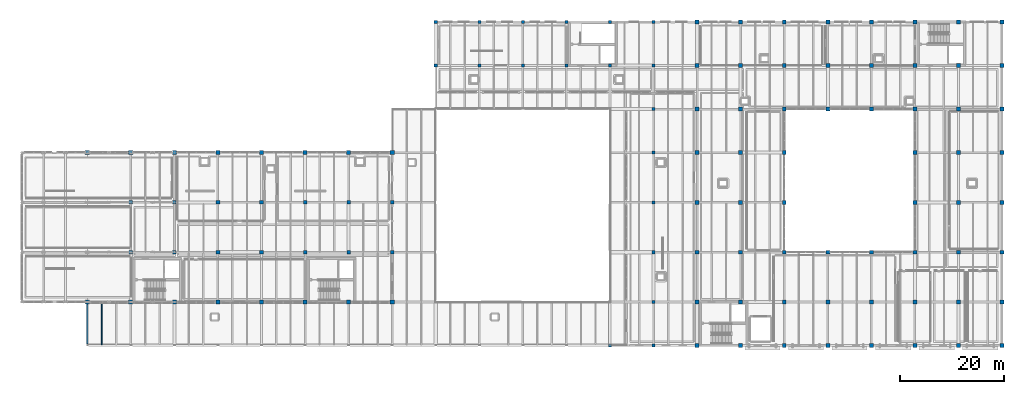
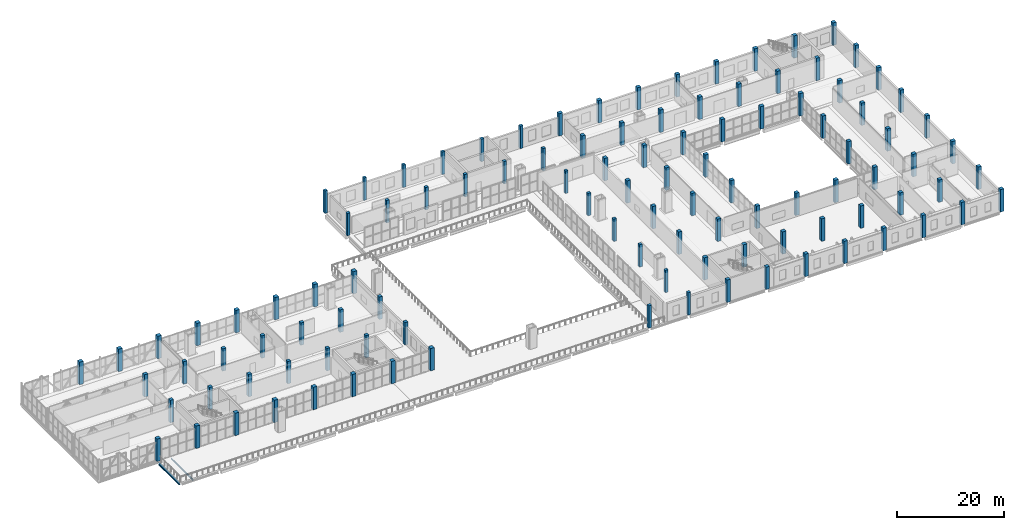
# One storey, part 1 of 77: 109 columns, 2 beams.
"""IFC4 building model written with IfcOpenShell, lengths in metres."""

from ifc_helpers import new_model, si_unit, direction, frame, origin, origin_2d, place, context, subcontext, project, spatial, rectangle, i_section, extrude, material, material_profile, profile_set, type_object, element, save


model = new_model("IFC4")

# Units and contexts
model_context = context("Model", 3, precision=1e-05, world=origin(), true_north=direction((0.0, 1.0)))
body_context = subcontext(model_context, "Body", "Model", "MODEL_VIEW")
ifc_project = project(units=[si_unit("LENGTHUNIT", "METRE"), si_unit("AREAUNIT", "SQUARE_METRE"), si_unit("VOLUMEUNIT", "CUBIC_METRE"), si_unit("PLANEANGLEUNIT", "RADIAN"), si_unit("MASSUNIT", "GRAM", prefix="KILO")], contexts=[model_context])

# Site, building, storey
site_placement = place(None, origin())
site = spatial("IfcSite", under=ifc_project, at=site_placement, CompositionType="ELEMENT")
building_placement = place(site_placement, origin())
building = spatial("IfcBuilding", under=site, at=building_placement, Name="Zulmaris Art Gallery", CompositionType="ELEMENT")
storey_placement = place(building_placement, frame((0.0, 0.0, 15.60009765625)))
storey = spatial("IfcBuildingStorey", under=building, at=storey_placement, Name="L03", CompositionType="ELEMENT", Elevation=15.60009765625)

# Columns
ifc_material_1 = material(Name="Concrete C40/50", Category="concrete")
ifc_material_profile_1 = material_profile(ifc_material_1, rectangle(XDim=0.60009765625, YDim=0.60009765625, at=origin_2d()), Name="RC 600x600")
ifc_profile_set_1 = profile_set([ifc_material_profile_1], Name="Concrete C40/50")
column_type_1 = type_object("IfcColumnType", Name="COL-RC-600x600", PredefinedType="COLUMN", material=ifc_profile_set_1)
for number, where, z_axis, x_axis, name in (
    (1, (91.199951171875, 67.199951171875, 0.0), (0.0, 0.0, 1.0), (1.0, 0.0, 0.0), "L03 structural column (91.2, 67.2)"),
    (2, (91.199951171875, 75.60009765625, 0.0), (0.0, 0.0, 1.0), (1.0, 0.0, 0.0), "L03 structural column (91.2, 75.6)"),
    (3, (99.60009765625, 67.199951171875, 0.0), (0.0, 0.0, 1.0), (1.0, 0.0, 0.0), "L03 structural column (99.6, 67.2)"),
    (4, (99.60009765625, 75.60009765625, 0.0), (0.0, 0.0, 1.0), (1.0, 0.0, 0.0), "L03 structural column (99.6, 75.6)"),
    (5, (108.0, 67.199951171875, 0.0), (0.0, 0.0, 1.0), (1.0, 0.0, 0.0), "L03 structural column (108.0, 67.2)"),
    (6, (108.0, 75.60009765625, 0.0), (0.0, 0.0, 1.0), (1.0, 0.0, 0.0), "L03 structural column (108.0, 75.6)"),
    (7, (116.39990234375, 67.199951171875, 0.0), (0.0, 0.0, 1.0), (1.0, 0.0, 0.0), "L03 structural column (116.4, 67.2)"),
    (8, (116.39990234375, 75.60009765625, 0.0), (0.0, 0.0, 1.0), (1.0, 0.0, 0.0), "L03 structural column (116.4, 75.6)"),
    (9, (124.800048828125, 13.199951171875, 0.0), (0.0, 0.0, 1.0), (1.0, 0.0, 0.0), "L03 structural column (124.8, 13.2)"),
    (10, (124.800048828125, 67.199951171875, 0.0), (0.0, 0.0, 1.0), (1.0, 0.0, 0.0), "L03 structural column (124.8, 67.2)"),
    (11, (124.800048828125, 75.60009765625, 0.0), (0.0, 0.0, 1.0), (1.0, 0.0, 0.0), "L03 structural column (124.8, 75.6)"),
    (12, (133.199951171875, 13.199951171875, 0.0), (0.0, 0.0, 1.0), (1.0, 0.0, 0.0), "L03 structural column (133.2, 13.2)"),
    (13, (133.199951171875, 21.60009765625, 0.0), (0.0, 0.0, 1.0), (1.0, 0.0, 0.0), "L03 structural column (133.2, 21.6)"),
    (14, (133.199951171875, 31.199951171875, 0.0), (0.0, 0.0, 1.0), (1.0, 0.0, 0.0), "L03 structural column (133.2, 31.2)"),
    (15, (133.199951171875, 40.800048828125, 0.0), (0.0, 0.0, 1.0), (1.0, 0.0, 0.0), "L03 structural column (133.2, 40.8)"),
    (16, (133.199951171875, 50.39990234375, 0.0), (0.0, 0.0, 1.0), (1.0, 0.0, 0.0), "L03 structural column (133.2, 50.4)"),
    (17, (133.199951171875, 58.800048828125, 0.0), (0.0, 0.0, 1.0), (1.0, 0.0, 0.0), "L03 structural column (133.2, 58.8)"),
    (18, (133.199951171875, 67.199951171875, 0.0), (0.0, 0.0, 1.0), (1.0, 0.0, 0.0), "L03 structural column (133.2, 67.2)"),
    (19, (133.199951171875, 75.60009765625, 0.0), (0.0, 0.0, 1.0), (1.0, 0.0, 0.0), "L03 structural column (133.2, 75.6)"),
):
    element("IfcColumn", number, at=place(storey_placement, frame(where, z_axis=z_axis, x_axis=x_axis)), inside=storey, type_object=column_type_1, Name=name, PredefinedType="COLUMN", context=body_context, shape_type="SweptSolid", body=[
        extrude(rectangle(XDim=0.60009765625, YDim=0.60009765625, at=origin_2d()), origin(), (0.0, 0.0, 1.0), 5.099853515625),
    ])
ifc_material_profile_2 = material_profile(ifc_material_1, rectangle(XDim=0.699951171875, YDim=0.699951171875, at=origin_2d()), Name="RC 700x700")
ifc_profile_set_2 = profile_set([ifc_material_profile_2], Name="Concrete C40/50")
column_type_2 = type_object("IfcColumnType", Name="COL-RC-700x700", PredefinedType="COLUMN", material=ifc_profile_set_2)
for number, where, z_axis, x_axis, name in (
    (20, (32.39990234375, 31.199951171875, 0.0), (0.0, 0.0, 1.0), (1.0, 0.0, 0.0), "L03 structural column (32.4, 31.2)"),
    (21, (32.39990234375, 40.800048828125, 0.0), (0.0, 0.0, 1.0), (1.0, 0.0, 0.0), "L03 structural column (32.4, 40.8)"),
    (22, (40.800048828125, 31.199951171875, 0.0), (0.0, 0.0, 1.0), (1.0, 0.0, 0.0), "L03 structural column (40.8, 31.2)"),
    (23, (40.800048828125, 40.800048828125, 0.0), (0.0, 0.0, 1.0), (1.0, 0.0, 0.0), "L03 structural column (40.8, 40.8)"),
    (24, (49.199951171875, 31.199951171875, 0.0), (0.0, 0.0, 1.0), (1.0, 0.0, 0.0), "L03 structural column (49.2, 31.2)"),
    (25, (49.199951171875, 40.800048828125, 0.0), (0.0, 0.0, 1.0), (1.0, 0.0, 0.0), "L03 structural column (49.2, 40.8)"),
    (26, (57.60009765625, 31.199951171875, 0.0), (0.0, 0.0, 1.0), (1.0, 0.0, 0.0), "L03 structural column (57.6, 31.2)"),
    (27, (57.60009765625, 40.800048828125, 0.0), (0.0, 0.0, 1.0), (1.0, 0.0, 0.0), "L03 structural column (57.6, 40.8)"),
    (28, (66.0, 31.199951171875, 0.0), (0.0, 0.0, 1.0), (1.0, 0.0, 0.0), "L03 structural column (66.0, 31.2)"),
    (29, (66.0, 40.800048828125, 0.0), (0.0, 0.0, 1.0), (1.0, 0.0, 0.0), "L03 structural column (66.0, 40.8)"),
    (30, (74.39990234375, 31.199951171875, 0.0), (0.0, 0.0, 1.0), (1.0, 0.0, 0.0), "L03 structural column (74.4, 31.2)"),
    (31, (74.39990234375, 40.800048828125, 0.0), (0.0, 0.0, 1.0), (1.0, 0.0, 0.0), "L03 structural column (74.4, 40.8)"),
    (32, (82.800048828125, 31.199951171875, 0.0), (0.0, 0.0, 1.0), (1.0, 0.0, 0.0), "L03 structural column (82.8, 31.2)"),
    (33, (82.800048828125, 40.800048828125, 0.0), (0.0, 0.0, 1.0), (1.0, 0.0, 0.0), "L03 structural column (82.8, 40.8)"),
):
    element("IfcColumn", number, at=place(storey_placement, frame(where, z_axis=z_axis, x_axis=x_axis)), inside=storey, type_object=column_type_2, Name=name, PredefinedType="COLUMN", context=body_context, shape_type="SweptSolid", body=[
        extrude(rectangle(XDim=0.699951171875, YDim=0.699951171875, at=origin_2d()), origin(), (0.0, 0.0, 1.0), 5.099853515625),
    ])
ifc_material_profile_3 = material_profile(ifc_material_1, rectangle(XDim=0.75, YDim=0.75, at=origin_2d()), Name="RC 750x750")
ifc_profile_set_3 = profile_set([ifc_material_profile_3], Name="Concrete C40/50")
column_type_3 = type_object("IfcColumnType", Name="COL-RC-750x750", PredefinedType="COLUMN", material=ifc_profile_set_3)
for number, where, z_axis, x_axis, name in (
    (34, (141.60009765625, 13.199951171875, 0.0), (0.0, 0.0, 1.0), (1.0, 0.0, 0.0), "L03 structural column (141.6, 13.2)"),
    (35, (141.60009765625, 21.60009765625, 0.0), (0.0, 0.0, 1.0), (1.0, 0.0, 0.0), "L03 structural column (141.6, 21.6)"),
    (36, (141.60009765625, 31.199951171875, 0.0), (0.0, 0.0, 1.0), (1.0, 0.0, 0.0), "L03 structural column (141.6, 31.2)"),
    (37, (141.60009765625, 40.800048828125, 0.0), (0.0, 0.0, 1.0), (1.0, 0.0, 0.0), "L03 structural column (141.6, 40.8)"),
    (38, (141.60009765625, 50.39990234375, 0.0), (0.0, 0.0, 1.0), (1.0, 0.0, 0.0), "L03 structural column (141.6, 50.4)"),
    (39, (141.60009765625, 58.800048828125, 0.0), (0.0, 0.0, 1.0), (1.0, 0.0, 0.0), "L03 structural column (141.6, 58.8)"),
    (40, (141.60009765625, 67.199951171875, 0.0), (0.0, 0.0, 1.0), (1.0, 0.0, 0.0), "L03 structural column (141.6, 67.2)"),
    (41, (141.60009765625, 75.60009765625, 0.0), (0.0, 0.0, 1.0), (1.0, 0.0, 0.0), "L03 structural column (141.6, 75.6)"),
    (42, (150.0, 13.199951171875, 0.0), (0.0, 0.0, 1.0), (1.0, 0.0, 0.0), "L03 structural column (150.0, 13.2)"),
    (43, (150.0, 21.60009765625, 0.0), (0.0, 0.0, 1.0), (1.0, 0.0, 0.0), "L03 structural column (150.0, 21.6)"),
    (44, (150.0, 31.199951171875, 0.0), (0.0, 0.0, 1.0), (1.0, 0.0, 0.0), "L03 structural column (150.0, 31.2)"),
    (45, (150.0, 40.800048828125, 0.0), (0.0, 0.0, 1.0), (1.0, 0.0, 0.0), "L03 structural column (150.0, 40.8)"),
    (46, (150.0, 50.39990234375, 0.0), (0.0, 0.0, 1.0), (1.0, 0.0, 0.0), "L03 structural column (150.0, 50.4)"),
    (47, (150.0, 58.800048828125, 0.0), (0.0, 0.0, 1.0), (1.0, 0.0, 0.0), "L03 structural column (150.0, 58.8)"),
    (48, (150.0, 67.199951171875, 0.0), (0.0, 0.0, 1.0), (1.0, 0.0, 0.0), "L03 structural column (150.0, 67.2)"),
    (49, (150.0, 75.60009765625, 0.0), (0.0, 0.0, 1.0), (1.0, 0.0, 0.0), "L03 structural column (150.0, 75.6)"),
    (50, (158.39990234375, 13.199951171875, 0.0), (0.0, 0.0, 1.0), (1.0, 0.0, 0.0), "L03 structural column (158.4, 13.2)"),
    (51, (158.39990234375, 21.60009765625, 0.0), (0.0, 0.0, 1.0), (1.0, 0.0, 0.0), "L03 structural column (158.4, 21.6)"),
    (52, (158.39990234375, 31.199951171875, 0.0), (0.0, 0.0, 1.0), (1.0, 0.0, 0.0), "L03 structural column (158.4, 31.2)"),
    (53, (158.39990234375, 40.800048828125, 0.0), (0.0, 0.0, 1.0), (1.0, 0.0, 0.0), "L03 structural column (158.4, 40.8)"),
    (54, (158.39990234375, 50.39990234375, 0.0), (0.0, 0.0, 1.0), (1.0, 0.0, 0.0), "L03 structural column (158.4, 50.4)"),
    (55, (158.39990234375, 58.800048828125, 0.0), (0.0, 0.0, 1.0), (1.0, 0.0, 0.0), "L03 structural column (158.4, 58.8)"),
    (56, (158.39990234375, 67.199951171875, 0.0), (0.0, 0.0, 1.0), (1.0, 0.0, 0.0), "L03 structural column (158.4, 67.2)"),
    (57, (158.39990234375, 75.60009765625, 0.0), (0.0, 0.0, 1.0), (1.0, 0.0, 0.0), "L03 structural column (158.4, 75.6)"),
    (58, (166.800048828125, 13.199951171875, 0.0), (0.0, 0.0, 1.0), (1.0, 0.0, 0.0), "L03 structural column (166.8, 13.2)"),
    (59, (166.800048828125, 21.60009765625, 0.0), (0.0, 0.0, 1.0), (1.0, 0.0, 0.0), "L03 structural column (166.8, 21.6)"),
    (60, (166.800048828125, 31.199951171875, 0.0), (0.0, 0.0, 1.0), (1.0, 0.0, 0.0), "L03 structural column (166.8, 31.2)"),
    (61, (166.800048828125, 58.800048828125, 0.0), (0.0, 0.0, 1.0), (1.0, 0.0, 0.0), "L03 structural column (166.8, 58.8)"),
    (62, (166.800048828125, 67.199951171875, 0.0), (0.0, 0.0, 1.0), (1.0, 0.0, 0.0), "L03 structural column (166.8, 67.2)"),
    (63, (166.800048828125, 75.60009765625, 0.0), (0.0, 0.0, 1.0), (1.0, 0.0, 0.0), "L03 structural column (166.8, 75.6)"),
    (64, (175.199951171875, 13.199951171875, 0.0), (0.0, 0.0, 1.0), (1.0, 0.0, 0.0), "L03 structural column (175.2, 13.2)"),
    (65, (175.199951171875, 21.60009765625, 0.0), (0.0, 0.0, 1.0), (1.0, 0.0, 0.0), "L03 structural column (175.2, 21.6)"),
    (66, (175.199951171875, 31.199951171875, 0.0), (0.0, 0.0, 1.0), (1.0, 0.0, 0.0), "L03 structural column (175.2, 31.2)"),
    (67, (175.199951171875, 58.800048828125, 0.0), (0.0, 0.0, 1.0), (1.0, 0.0, 0.0), "L03 structural column (175.2, 58.8)"),
    (68, (175.199951171875, 67.199951171875, 0.0), (0.0, 0.0, 1.0), (1.0, 0.0, 0.0), "L03 structural column (175.2, 67.2)"),
    (69, (175.199951171875, 75.60009765625, 0.0), (0.0, 0.0, 1.0), (1.0, 0.0, 0.0), "L03 structural column (175.2, 75.6)"),
    (70, (183.60009765625, 13.199951171875, 0.0), (0.0, 0.0, 1.0), (1.0, 0.0, 0.0), "L03 structural column (183.6, 13.2)"),
    (71, (183.60009765625, 21.60009765625, 0.0), (0.0, 0.0, 1.0), (1.0, 0.0, 0.0), "L03 structural column (183.6, 21.6)"),
    (72, (183.60009765625, 31.199951171875, 0.0), (0.0, 0.0, 1.0), (1.0, 0.0, 0.0), "L03 structural column (183.6, 31.2)"),
    (73, (183.60009765625, 40.800048828125, 0.0), (0.0, 0.0, 1.0), (1.0, 0.0, 0.0), "L03 structural column (183.6, 40.8)"),
    (74, (183.60009765625, 50.39990234375, 0.0), (0.0, 0.0, 1.0), (1.0, 0.0, 0.0), "L03 structural column (183.6, 50.4)"),
    (75, (183.60009765625, 58.800048828125, 0.0), (0.0, 0.0, 1.0), (1.0, 0.0, 0.0), "L03 structural column (183.6, 58.8)"),
    (76, (183.60009765625, 67.199951171875, 0.0), (0.0, 0.0, 1.0), (1.0, 0.0, 0.0), "L03 structural column (183.6, 67.2)"),
    (77, (183.60009765625, 75.60009765625, 0.0), (0.0, 0.0, 1.0), (1.0, 0.0, 0.0), "L03 structural column (183.6, 75.6)"),
    (78, (192.0, 13.199951171875, 0.0), (0.0, 0.0, 1.0), (1.0, 0.0, 0.0), "L03 structural column (192.0, 13.2)"),
    (79, (192.0, 21.60009765625, 0.0), (0.0, 0.0, 1.0), (1.0, 0.0, 0.0), "L03 structural column (192.0, 21.6)"),
    (80, (192.0, 31.199951171875, 0.0), (0.0, 0.0, 1.0), (1.0, 0.0, 0.0), "L03 structural column (192.0, 31.2)"),
    (81, (192.0, 40.800048828125, 0.0), (0.0, 0.0, 1.0), (1.0, 0.0, 0.0), "L03 structural column (192.0, 40.8)"),
    (82, (192.0, 50.39990234375, 0.0), (0.0, 0.0, 1.0), (1.0, 0.0, 0.0), "L03 structural column (192.0, 50.4)"),
    (83, (192.0, 58.800048828125, 0.0), (0.0, 0.0, 1.0), (1.0, 0.0, 0.0), "L03 structural column (192.0, 58.8)"),
    (84, (192.0, 67.199951171875, 0.0), (0.0, 0.0, 1.0), (1.0, 0.0, 0.0), "L03 structural column (192.0, 67.2)"),
    (85, (192.0, 75.60009765625, 0.0), (0.0, 0.0, 1.0), (1.0, 0.0, 0.0), "L03 structural column (192.0, 75.6)"),
    (86, (200.39990234375, 13.199951171875, 0.0), (0.0, 0.0, 1.0), (1.0, 0.0, 0.0), "L03 structural column (200.4, 13.2)"),
    (87, (200.39990234375, 21.60009765625, 0.0), (0.0, 0.0, 1.0), (1.0, 0.0, 0.0), "L03 structural column (200.4, 21.6)"),
    (88, (200.39990234375, 31.199951171875, 0.0), (0.0, 0.0, 1.0), (1.0, 0.0, 0.0), "L03 structural column (200.4, 31.2)"),
    (89, (200.39990234375, 40.800048828125, 0.0), (0.0, 0.0, 1.0), (1.0, 0.0, 0.0), "L03 structural column (200.4, 40.8)"),
    (90, (200.39990234375, 50.39990234375, 0.0), (0.0, 0.0, 1.0), (1.0, 0.0, 0.0), "L03 structural column (200.4, 50.4)"),
    (91, (200.39990234375, 58.800048828125, 0.0), (0.0, 0.0, 1.0), (1.0, 0.0, 0.0), "L03 structural column (200.4, 58.8)"),
    (92, (200.39990234375, 67.199951171875, 0.0), (0.0, 0.0, 1.0), (1.0, 0.0, 0.0), "L03 structural column (200.4, 67.2)"),
    (93, (200.39990234375, 75.60009765625, 0.0), (0.0, 0.0, 1.0), (1.0, 0.0, 0.0), "L03 structural column (200.4, 75.6)"),
):
    element("IfcColumn", number, at=place(storey_placement, frame(where, z_axis=z_axis, x_axis=x_axis)), inside=storey, type_object=column_type_3, Name=name, PredefinedType="COLUMN", context=body_context, shape_type="SweptSolid", body=[
        extrude(rectangle(XDim=0.75, YDim=0.75, at=origin_2d()), origin(), (0.0, 0.0, 1.0), 5.099853515625),
    ])
ifc_material_profile_4 = material_profile(ifc_material_1, rectangle(XDim=0.800048828125, YDim=0.800048828125, at=origin_2d()), Name="RC 800x800")
ifc_profile_set_4 = profile_set([ifc_material_profile_4], Name="Concrete C40/50")
column_type_4 = type_object("IfcColumnType", Name="COL-RC-800x800", PredefinedType="COLUMN", material=ifc_profile_set_4)
for number, where, z_axis, x_axis, name in (
    (94, (24.0, 21.60009765625, 0.0), (0.0, 0.0, 1.0), (1.0, 0.0, 0.0), "L03 structural column (24.0, 21.6)"),
    (95, (24.0, 50.39990234375, 0.0), (0.0, 0.0, 1.0), (1.0, 0.0, 0.0), "L03 structural column (24.0, 50.4)"),
    (96, (32.39990234375, 21.60009765625, 0.0), (0.0, 0.0, 1.0), (1.0, 0.0, 0.0), "L03 structural column (32.4, 21.6)"),
    (97, (32.39990234375, 50.39990234375, 0.0), (0.0, 0.0, 1.0), (1.0, 0.0, 0.0), "L03 structural column (32.4, 50.4)"),
    (98, (40.800048828125, 21.60009765625, 0.0), (0.0, 0.0, 1.0), (1.0, 0.0, 0.0), "L03 structural column (40.8, 21.6)"),
    (99, (40.800048828125, 50.39990234375, 0.0), (0.0, 0.0, 1.0), (1.0, 0.0, 0.0), "L03 structural column (40.8, 50.4)"),
    (100, (49.199951171875, 21.60009765625, 0.0), (0.0, 0.0, 1.0), (1.0, 0.0, 0.0), "L03 structural column (49.2, 21.6)"),
    (101, (49.199951171875, 50.39990234375, 0.0), (0.0, 0.0, 1.0), (1.0, 0.0, 0.0), "L03 structural column (49.2, 50.4)"),
    (102, (57.60009765625, 21.60009765625, 0.0), (0.0, 0.0, 1.0), (1.0, 0.0, 0.0), "L03 structural column (57.6, 21.6)"),
    (103, (57.60009765625, 50.39990234375, 0.0), (0.0, 0.0, 1.0), (1.0, 0.0, 0.0), "L03 structural column (57.6, 50.4)"),
    (104, (66.0, 21.60009765625, 0.0), (0.0, 0.0, 1.0), (1.0, 0.0, 0.0), "L03 structural column (66.0, 21.6)"),
    (105, (66.0, 50.39990234375, 0.0), (0.0, 0.0, 1.0), (1.0, 0.0, 0.0), "L03 structural column (66.0, 50.4)"),
    (106, (74.39990234375, 21.60009765625, 0.0), (0.0, 0.0, 1.0), (1.0, 0.0, 0.0), "L03 structural column (74.4, 21.6)"),
    (107, (74.39990234375, 50.39990234375, 0.0), (0.0, 0.0, 1.0), (1.0, 0.0, 0.0), "L03 structural column (74.4, 50.4)"),
    (108, (82.800048828125, 21.60009765625, 0.0), (0.0, 0.0, 1.0), (1.0, 0.0, 0.0), "L03 structural column (82.8, 21.6)"),
    (109, (82.800048828125, 50.39990234375, 0.0), (0.0, 0.0, 1.0), (1.0, 0.0, 0.0), "L03 structural column (82.8, 50.4)"),
):
    element("IfcColumn", number, at=place(storey_placement, frame(where, z_axis=z_axis, x_axis=x_axis)), inside=storey, type_object=column_type_4, Name=name, PredefinedType="COLUMN", context=body_context, shape_type="SweptSolid", body=[
        extrude(rectangle(XDim=0.800048828125, YDim=0.800048828125, at=origin_2d()), origin(), (0.0, 0.0, 1.0), 5.099853515625),
    ])

# Beams
ifc_material_2 = material(Name="Steel S355J2", Category="steel")
ifc_material_profile_5 = material_profile(ifc_material_2, i_section(OverallWidth=0.159912109375, OverallDepth=0.330078125, WebThickness=0.007568359375, FlangeThickness=0.011474609375, FilletRadius=0.01806640625, at=origin_2d()), Name="IPE 330")
ifc_profile_set_5 = profile_set([ifc_material_profile_5], Name="Steel S355J2")
beam_type_1 = type_object("IfcBeamType", Name="BEAM-JS03", PredefinedType="JOIST", material=ifc_profile_set_5)
beam_1_placement = place(storey_placement, frame((26.800048828125, 13.324951171875, -0.53515625), z_axis=(0.0, 1.0, 0.0), x_axis=(-1.0, 0.0, 0.0)))
element("IfcBeam", 110, at=beam_1_placement, inside=storey, type_object=beam_type_1, Name="L03 secondary joist at x=26.8", PredefinedType="JOIST", context=body_context, shape_type="SweptSolid", body=[
    extrude(i_section(OverallWidth=0.159912109375, OverallDepth=0.330078125, WebThickness=0.007568359375, FlangeThickness=0.011474609375, FilletRadius=0.01806640625, at=origin_2d()), origin(), (0.0, 0.0, 1.0), 8.150146484375),
])
ifc_material_profile_6 = material_profile(ifc_material_2, i_section(OverallWidth=0.300048828125, OverallDepth=0.39990234375, WebThickness=0.013427734375, FlangeThickness=0.02392578125, FilletRadius=0.027099609375, at=origin_2d()), Name="HEB 400")
ifc_profile_set_6 = profile_set([ifc_material_profile_6], Name="Steel S355J2")
beam_type_2 = type_object("IfcBeamType", Name="BEAM-SP02", PredefinedType="SPANDREL", material=ifc_profile_set_6)
beam_2_placement = place(storey_placement, frame((24.0, 13.485107421875, -0.570068359375), z_axis=(0.0, 1.0, 0.0), x_axis=(-1.0, 0.0, 0.0)))
element("IfcBeam", 111, at=beam_2_placement, inside=storey, type_object=beam_type_2, Name="L03 Y-girder (x=24.0, 13.2..21.6)", PredefinedType="SPANDREL", context=body_context, shape_type="SweptSolid", body=[
    extrude(i_section(OverallWidth=0.300048828125, OverallDepth=0.39990234375, WebThickness=0.013427734375, FlangeThickness=0.02392578125, FilletRadius=0.027099609375, at=origin_2d()), origin(), (0.0, 0.0, 1.0), 7.72998046875),
])

save(model, "model.ifc")
